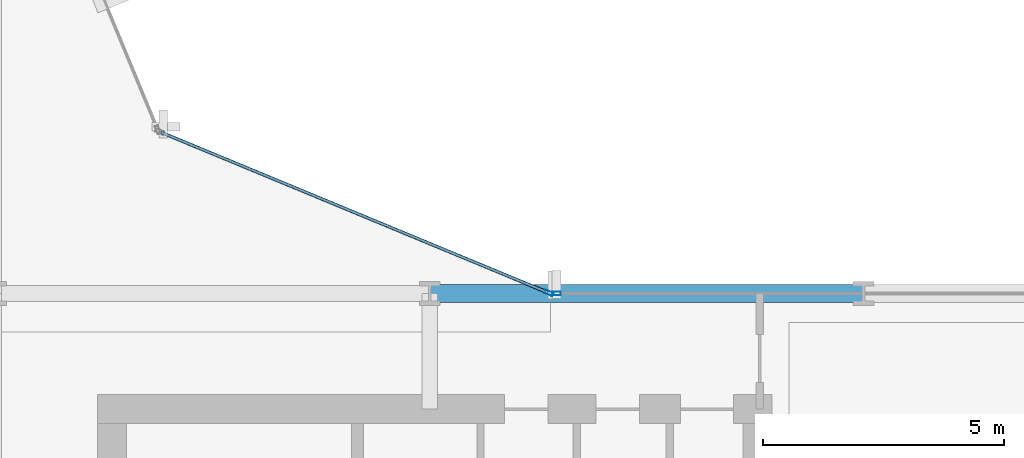
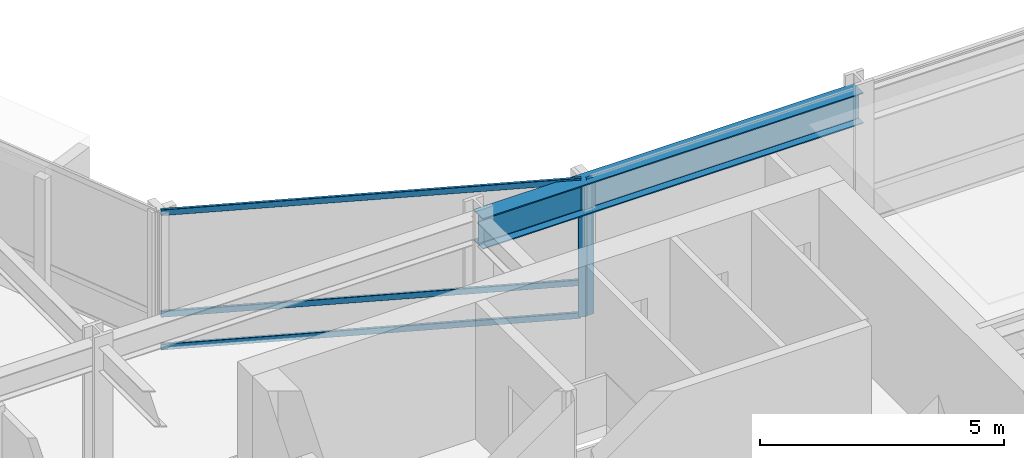
# One storey, part 15 of 34: 5 members, 1 beam, 2 elements without a shape of their own.
"""IFC4 building model written with IfcOpenShell, lengths in metres."""

from ifc_helpers import new_model, si_unit, direction, frame, origin, origin_2d, place, context, subcontext, project, spatial, hollow_rectangle, i_section, extrude, material, layer, layer_set, material_profile, profile_set, type_object, element, aggregate, save


model = new_model("IFC4")

# Units and contexts
model_context = context("Model", 3, precision=1e-05, world=origin(), true_north=direction((0.0, 1.0)))
body_context = subcontext(model_context, "Body", "Model", "MODEL_VIEW")
ifc_project = project(units=[si_unit("LENGTHUNIT", "METRE"), si_unit("AREAUNIT", "SQUARE_METRE"), si_unit("VOLUMEUNIT", "CUBIC_METRE"), si_unit("PLANEANGLEUNIT", "RADIAN"), si_unit("MASSUNIT", "GRAM", prefix="KILO")], contexts=[model_context])

# Site, building, storey
site_placement = place(None, origin())
site = spatial("IfcSite", under=ifc_project, at=site_placement, CompositionType="ELEMENT")
building_placement = place(site_placement, origin())
building = spatial("IfcBuilding", under=site, at=building_placement, Name="Solvaryn Broadcast Tower", CompositionType="ELEMENT")
storey_placement = place(building_placement, frame((0.0, 0.0, 61.89990234375)))
storey = spatial("IfcBuildingStorey", under=building, at=storey_placement, Name="L14", CompositionType="ELEMENT", Elevation=61.89990234375)

# Beam
ifc_material_1 = material(Name="Steel ASTM A992 Grade 50", Category="steel")
ifc_material_profile_1 = material_profile(ifc_material_1, i_section(OverallWidth=0.381103515625, OverallDepth=0.77294921875, WebThickness=0.0166015625, FlangeThickness=0.027099609375, FilletRadius=0.01806640625, at=origin_2d()))
ifc_profile_set_1 = profile_set([ifc_material_profile_1], Name="Steel ASTM A992 Grade 50")
beam_type = type_object("IfcBeamType", Name="BM-SP1-W30X173", PredefinedType="USERDEFINED", material=ifc_profile_set_1)
beam_placement = place(storey_placement, frame((36.0, 27.0, 3.03369140625), z_axis=(1.0, 0.0, 0.0), x_axis=(0.0, 1.0, 0.0)))
element("IfcBeam", 1, at=beam_placement, inside=storey, type_object=beam_type, Name="L14 Spandrel Beam X (36-45 @ Y=27)", ObjectType="SPANDREL", PredefinedType="USERDEFINED", context=body_context, shape_type="SweptSolid", body=[
    extrude(i_section(OverallWidth=0.381103515625, OverallDepth=0.77294921875, WebThickness=0.0166015625, FlangeThickness=0.027099609375, FilletRadius=0.01806640625, at=origin_2d()), origin(), (0.0, 0.0, 1.0), 9.0),
])

# Curtain wall, member
ifc_material_2 = material(Name="Aluminium and Terracotta Unitised Curtain Wall", Category="masonry")
ifc_layer = layer(ifc_material_2, 0.199951171875)
ifc_layer_set = layer_set([ifc_layer], Name="CW-SYS2-LOWMID")
curtain_wall_type = type_object("IfcCurtainWallType", Name="CW-SYS2-LOWMID", PredefinedType="NOTDEFINED", material=ifc_layer_set)
curtain_wall_1_placement = place(storey_placement, origin())
curtain_wall_1 = element("IfcCurtainWall", 2, at=curtain_wall_1_placement, inside=storey, type_object=curtain_wall_type, Name="L14 Curtain Wall CN1", PredefinedType="NOTDEFINED")
ifc_material_3 = material(Name="Anodised Aluminium 6063-T6", Category="aluminium")
ifc_material_profile_2 = material_profile(ifc_material_3, hollow_rectangle(XDim=0.074951171875, YDim=0.179931640625, WallThickness=0.00390625, InnerFilletRadius=0.00390625, OuterFilletRadius=0.008056640625, at=origin_2d()))
ifc_profile_set_2 = profile_set([ifc_material_profile_2], Name="Anodised Aluminium 6063-T6")
member_type_1 = type_object("IfcMemberType", Name="CW-MUL-180", PredefinedType="MULLION", material=ifc_profile_set_2)
member_1_placement = place(storey_placement, frame((38.47216796875, 27.011474609375, 0.0), z_axis=(0.0, 0.0, 1.0), x_axis=(-0.382646127145, -0.923894983957, 0.0)))
member_1 = element("IfcMember", 3, at=member_1_placement, type_object=member_type_1, Name="CWS2 mullion 1", PredefinedType="MULLION", context=body_context, shape_type="SweptSolid", body=[
    extrude(hollow_rectangle(XDim=0.074951171875, YDim=0.179931640625, WallThickness=0.00390625, InnerFilletRadius=0.00390625, OuterFilletRadius=0.008056640625, at=origin_2d()), origin(), (0.0, 0.0, 1.0), 3.420166015625),
])

curtain_wall_2_placement = place(storey_placement, origin())
curtain_wall_2 = element("IfcCurtainWall", 4, at=curtain_wall_2_placement, inside=storey, type_object=curtain_wall_type, Name="L14 Curtain Wall IH", PredefinedType="NOTDEFINED")
member_2_placement = place(storey_placement, frame((38.6298828125, 27.0, 0.0), z_axis=(0.0, 0.0, 1.0), x_axis=(0.0, 1.0, 0.0)))
member_2 = element("IfcMember", 5, at=member_2_placement, type_object=member_type_1, Name="CWS2 mullion 1", PredefinedType="MULLION", context=body_context, shape_type="SweptSolid", body=[
    extrude(hollow_rectangle(XDim=0.074951171875, YDim=0.179931640625, WallThickness=0.00390625, InnerFilletRadius=0.00390625, OuterFilletRadius=0.008056640625, at=origin_2d()), origin(), (0.0, 0.0, 1.0), 3.420166015625),
])
aggregate(curtain_wall_2, [member_2])

# Member
ifc_material_4 = material(Name="Anodised Aluminium 6063-T6", Category="aluminium")
ifc_material_profile_3 = material_profile(ifc_material_4, hollow_rectangle(XDim=0.06494140625, YDim=0.14990234375, WallThickness=0.00390625, InnerFilletRadius=0.00390625, OuterFilletRadius=0.008056640625, at=origin_2d()))
ifc_profile_set_3 = profile_set([ifc_material_profile_3], Name="Anodised Aluminium 6063-T6")
member_type_2 = type_object("IfcMemberType", Name="CW-TRN-150", PredefinedType="USERDEFINED", material=ifc_profile_set_3)
member_3_placement = place(storey_placement, frame((38.444580078125, 27.02294921875, 0.030029296875), z_axis=(-0.923899282177, 0.382635748975, 0.0), x_axis=(-0.382635748975, -0.923899282177, 0.0)))
member_3 = element("IfcMember", 6, at=member_3_placement, type_object=member_type_2, Name="CWS2 transom 1.1", ObjectType="TRANSOM", PredefinedType="USERDEFINED", context=body_context, shape_type="SweptSolid", body=[
    extrude(hollow_rectangle(XDim=0.06494140625, YDim=0.14990234375, WallThickness=0.00390625, InnerFilletRadius=0.00390625, OuterFilletRadius=0.008056640625, at=origin_2d()), origin(), (0.0, 0.0, 1.0), 8.681884765625),
])

member_4_placement = place(storey_placement, frame((38.444580078125, 27.02294921875, 0.85009765625), z_axis=(-0.923899282177, 0.382635748975, 0.0), x_axis=(-0.382635748975, -0.923899282177, 0.0)))
member_4 = element("IfcMember", 7, at=member_4_placement, type_object=member_type_2, Name="CWS2 transom 1.2", ObjectType="TRANSOM", PredefinedType="USERDEFINED", context=body_context, shape_type="SweptSolid", body=[
    extrude(hollow_rectangle(XDim=0.06494140625, YDim=0.14990234375, WallThickness=0.00390625, InnerFilletRadius=0.00390625, OuterFilletRadius=0.008056640625, at=origin_2d()), origin(), (0.0, 0.0, 1.0), 8.681884765625),
])

member_5_placement = place(storey_placement, frame((38.444580078125, 27.02294921875, 3.39013671875), z_axis=(-0.923899282177, 0.382635748975, 0.0), x_axis=(-0.382635748975, -0.923899282177, 0.0)))
member_5 = element("IfcMember", 8, at=member_5_placement, type_object=member_type_2, Name="CWS2 transom 1.3", ObjectType="TRANSOM", PredefinedType="USERDEFINED", context=body_context, shape_type="SweptSolid", body=[
    extrude(hollow_rectangle(XDim=0.06494140625, YDim=0.14990234375, WallThickness=0.00390625, InnerFilletRadius=0.00390625, OuterFilletRadius=0.008056640625, at=origin_2d()), origin(), (0.0, 0.0, 1.0), 8.681884765625),
])

aggregate(curtain_wall_1, [member_1, member_3, member_4, member_5])

save(model, "model.ifc")
